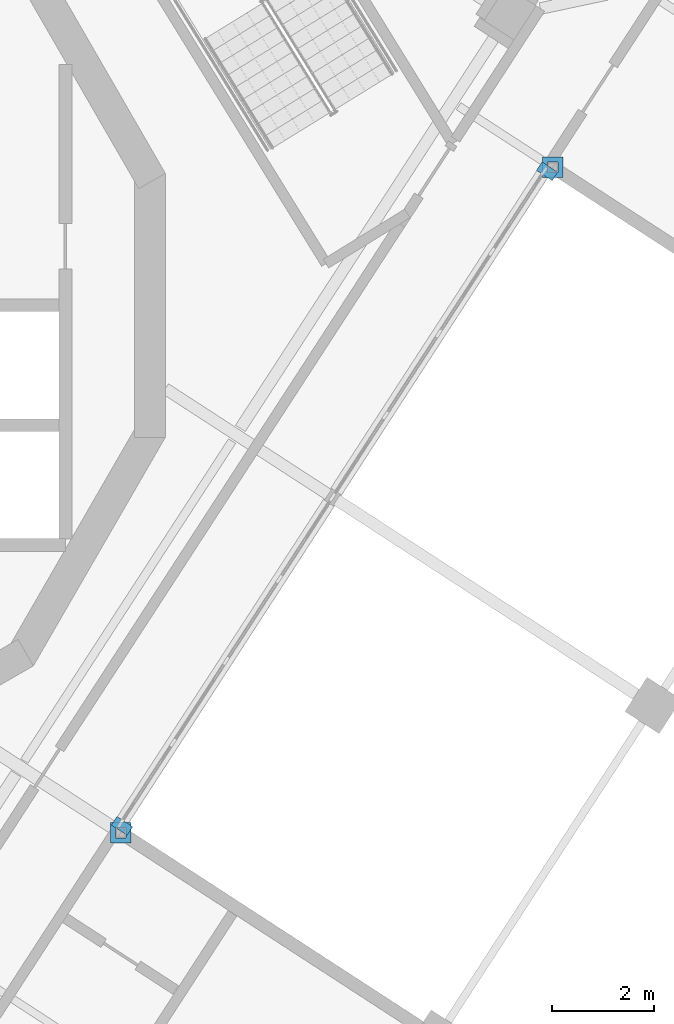
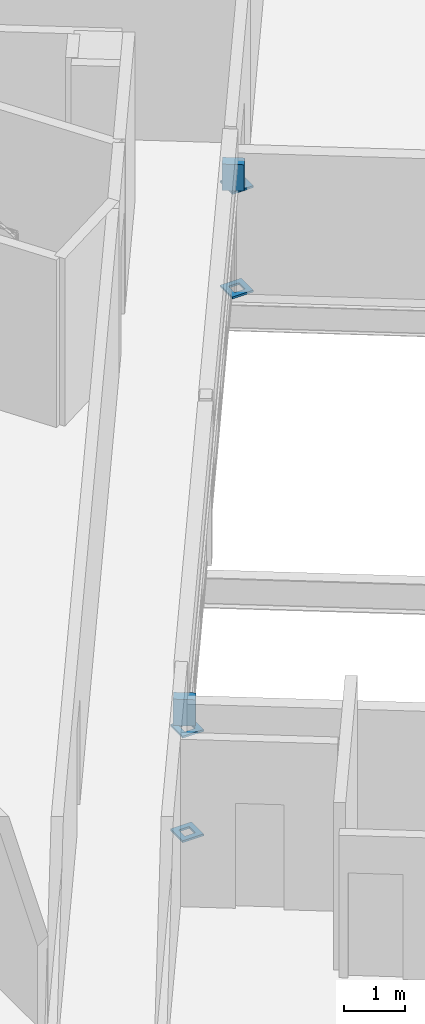
# One storey, part 12 of 17: 6 discrete accessories.
"""IFC4 building model written with IfcOpenShell, lengths in metres."""

from ifc_helpers import new_model, si_unit, direction, frame, origin, place, context, subcontext, project, spatial, polyline, outline, extrude, material, layer, layer_set, type_object, element, save


model = new_model("IFC4")

# Units and contexts
model_context = context("Model", 3, precision=1e-05, world=origin(), true_north=direction((0.0, 1.0)))
body_context = subcontext(model_context, "Body", "Model", "MODEL_VIEW")
ifc_project = project(units=[si_unit("LENGTHUNIT", "METRE"), si_unit("AREAUNIT", "SQUARE_METRE"), si_unit("VOLUMEUNIT", "CUBIC_METRE"), si_unit("PLANEANGLEUNIT", "RADIAN"), si_unit("MASSUNIT", "GRAM", prefix="KILO")], contexts=[model_context])

# Site, building, storey
site_placement = place(None, origin())
site = spatial("IfcSite", under=ifc_project, at=site_placement, CompositionType="ELEMENT")
building_placement = place(site_placement, origin())
building = spatial("IfcBuilding", under=site, at=building_placement, Name="Cantera Rosa Tower", CompositionType="ELEMENT")
storey_placement = place(building_placement, frame((0.0, 0.0, 264.89990234375)))
storey = spatial("IfcBuildingStorey", under=building, at=storey_placement, Name="L59", CompositionType="ELEMENT", Elevation=264.89990234375)

# Discrete accessories
ifc_material = material(Name="Steel ASTM A992 (Fy 345 MPa)", Category="steel")
ifc_layer = layer(ifc_material, 0.0400390625)
ifc_layer_set = layer_set([ifc_layer], Name="STEEL BEARING PLATE 40")
discrete_accessory_type = type_object("IfcDiscreteAccessoryType", Name="STEEL BEARING PLATE 40", PredefinedType="ANCHORPLATE", material=ifc_layer_set)
for number, where, name in (
    (1, (0.0, 0.0, 0.0), "POST PLATE L59-1F"),
    (2, (0.0, 0.0, 2.090087890625), "POST PLATE L59-1T"),
):
    element("IfcDiscreteAccessory", number, at=place(storey_placement, frame(where)), inside=storey, type_object=discrete_accessory_type, Name=name, PredefinedType="ANCHORPLATE", context=body_context, shape_type="SweptSolid", body=[
        extrude(outline(polyline([(8.583984375, -10.542724609375), (8.984130859375, -10.542724609375), (8.984130859375, -10.142578125), (8.583984375, -10.142578125), (8.583984375, -10.542724609375)]), holes=[polyline([(8.68408203125, -10.442626953125), (8.884033203125, -10.442626953125), (8.884033203125, -10.24267578125), (8.68408203125, -10.24267578125), (8.68408203125, -10.442626953125)])]), origin(), (0.0, 0.0, 1.0), 0.0400390625),
    ])
for number, where, name in (
    (3, (0.0, 0.0, 0.0), "POST PLATE L59-2F"),
    (4, (0.0, 0.0, 2.090087890625), "POST PLATE L59-2T"),
):
    element("IfcDiscreteAccessory", number, at=place(storey_placement, frame(where)), inside=storey, type_object=discrete_accessory_type, Name=name, PredefinedType="ANCHORPLATE", context=body_context, shape_type="SweptSolid", body=[
        extrude(outline(polyline([(17.05859375, 2.507080078125), (17.458740234375, 2.507080078125), (17.458740234375, 2.906982421875), (17.05859375, 2.906982421875), (17.05859375, 2.507080078125)]), holes=[polyline([(17.15869140625, 2.60693359375), (17.358642578125, 2.60693359375), (17.358642578125, 2.806884765625), (17.15869140625, 2.806884765625), (17.15869140625, 2.60693359375)])]), origin(), (0.0, 0.0, 1.0), 0.0400390625),
    ])
discrete_accessory_1_placement = place(storey_placement, frame((0.0, 0.0, 2.130126953125)))
element("IfcDiscreteAccessory", 5, at=discrete_accessory_1_placement, inside=storey, type_object=discrete_accessory_type, Name="LINTEL PLATE L59-1", PredefinedType="ANCHORPLATE", context=body_context, shape_type="SweptSolid", body=[
    extrude(outline(polyline([(8.711181640625, -10.027099609375), (8.602294921875, -10.19482421875), (8.9091796875, -10.394287109375), (9.018310546875, -10.2265625), (8.711181640625, -10.027099609375)])), origin(), (0.0, 0.0, 1.0), 0.528076171875),
])
discrete_accessory_2_placement = place(storey_placement, frame((0.0, 0.0, 2.130126953125)))
element("IfcDiscreteAccessory", 6, at=discrete_accessory_2_placement, inside=storey, type_object=discrete_accessory_type, Name="LINTEL PLATE L59-2", PredefinedType="ANCHORPLATE", context=body_context, shape_type="SweptSolid", body=[
    extrude(outline(polyline([(17.247802734375, 2.44580078125), (17.356689453125, 2.613525390625), (17.049560546875, 2.81298828125), (16.940673828125, 2.645263671875), (17.247802734375, 2.44580078125)])), origin(), (0.0, 0.0, 1.0), 0.528076171875),
])

save(model, "model.ifc")
